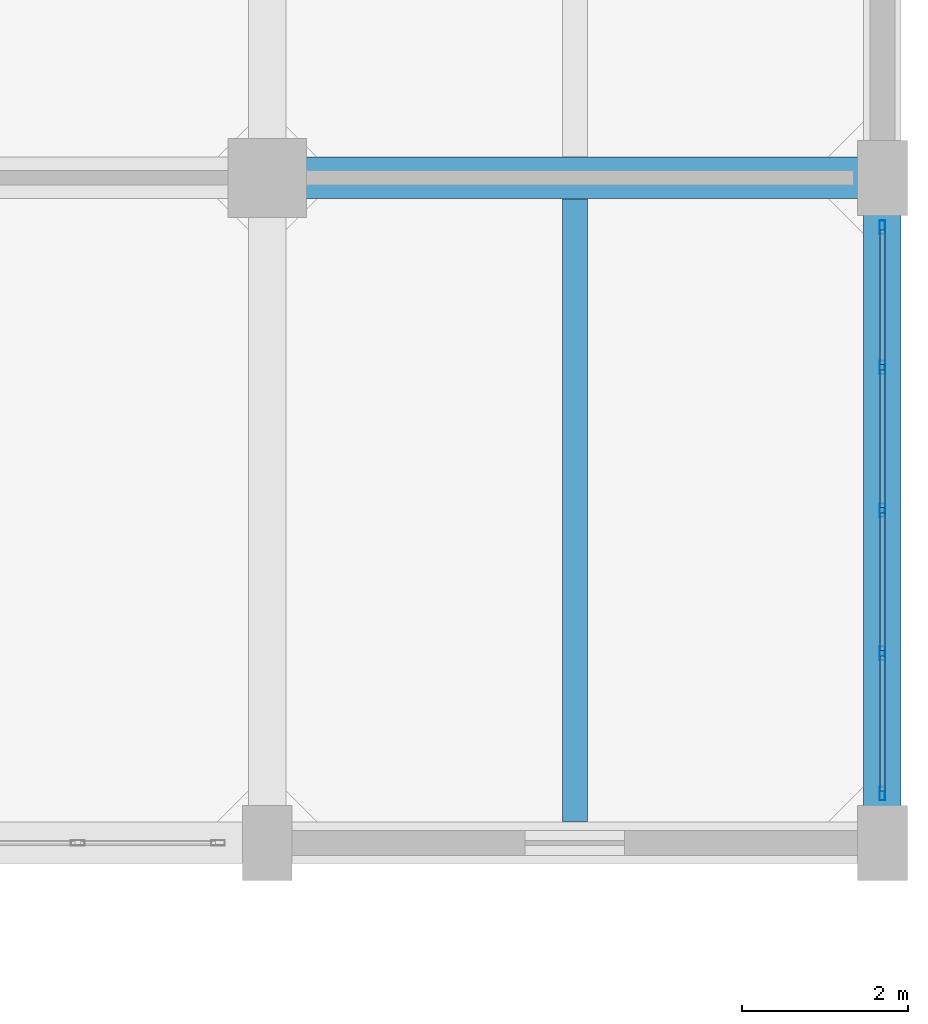
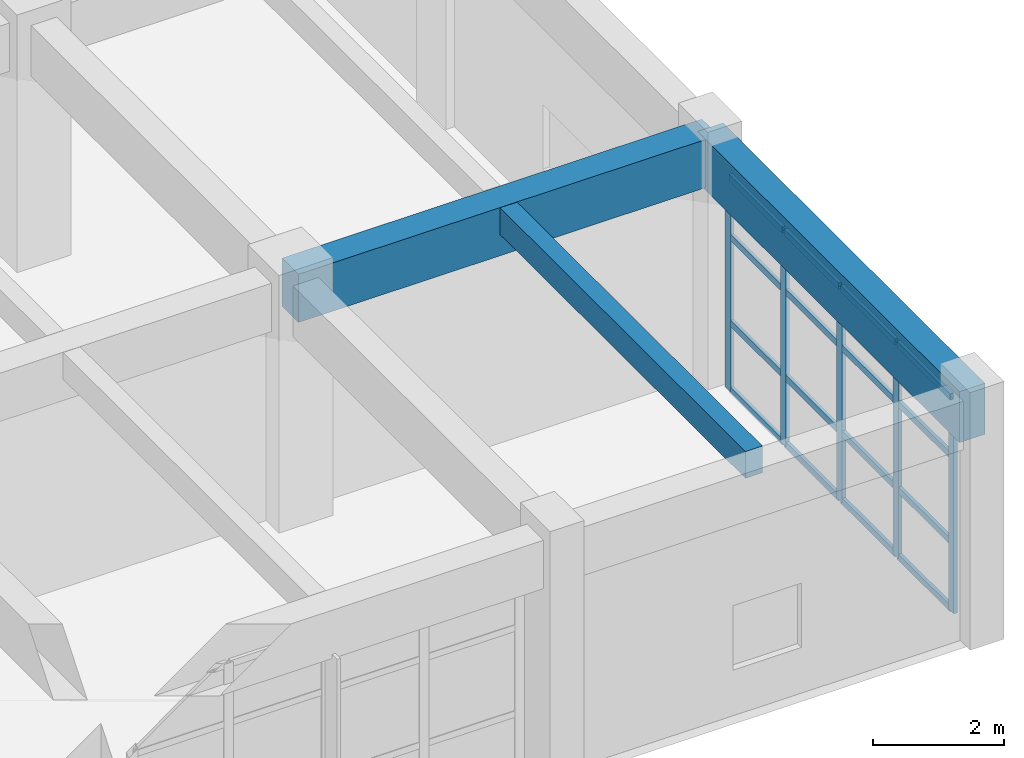
# One storey, part 189 of 248: 21 members, 3 beams, 1 element without a shape of its own.
"""IFC4 building model written with IfcOpenShell, lengths in metres."""

from ifc_helpers import new_model, si_unit, direction, frame, origin, origin_2d, place, context, subcontext, project, spatial, rectangle, hollow_rectangle, extrude, material, layer, layer_set, material_profile, profile_set, type_object, element, aggregate, save


model = new_model("IFC4")

# Units and contexts
model_context = context("Model", 3, precision=1e-05, world=origin(), true_north=direction((0.0, 1.0)))
body_context = subcontext(model_context, "Body", "Model", "MODEL_VIEW")
ifc_project = project(units=[si_unit("LENGTHUNIT", "METRE"), si_unit("AREAUNIT", "SQUARE_METRE"), si_unit("VOLUMEUNIT", "CUBIC_METRE"), si_unit("PLANEANGLEUNIT", "RADIAN"), si_unit("MASSUNIT", "GRAM", prefix="KILO")], contexts=[model_context])

# Site, building, storey
site_placement = place(None, origin())
site = spatial("IfcSite", under=ifc_project, at=site_placement, CompositionType="ELEMENT")
building_placement = place(site_placement, origin())
building = spatial("IfcBuilding", under=site, at=building_placement, Name="Canggui Botanical Conservatory", CompositionType="ELEMENT")
storey_placement = place(building_placement, frame((0.0, 0.0, 5.39990234375)))
storey = spatial("IfcBuildingStorey", under=building, at=storey_placement, Name="L02", CompositionType="ELEMENT", Elevation=5.39990234375)

# Beams
ifc_material_1 = material(Name="Concrete C35", Category="concrete")
ifc_material_profile_1 = material_profile(ifc_material_1, rectangle(XDim=0.300048828125, YDim=0.5, at=origin_2d()), Name="RB 300x500")
ifc_profile_set_1 = profile_set([ifc_material_profile_1], Name="Concrete C35")
beam_type_1 = type_object("IfcBeamType", Name="BM-JST02", PredefinedType="JOIST", material=ifc_profile_set_1)
beam_1_placement = place(storey_placement, frame((173.699951171875, 26.2548828125, 4.27001953125), z_axis=(0.0, 1.0, 0.0), x_axis=(-1.0, 0.0, 0.0)))
element("IfcBeam", 1, at=beam_1_placement, inside=storey, type_object=beam_type_1, Name="Secondary Floor Joist L02-6-1", PredefinedType="JOIST", context=body_context, shape_type="SweptSolid", body=[
    extrude(rectangle(XDim=0.300048828125, YDim=0.5, at=origin_2d()), origin(), (0.0, 0.0, 1.0), 7.490234375),
])
ifc_material_profile_2 = material_profile(ifc_material_1, rectangle(XDim=0.5, YDim=0.89990234375, at=origin_2d()), Name="RB 500x900")
ifc_profile_set_2 = profile_set([ifc_material_profile_2], Name="Concrete C35")
beam_type_2 = type_object("IfcBeamType", Name="BM-KL03", PredefinedType="BEAM", material=ifc_profile_set_2)
beam_2_placement = place(storey_placement, frame((170.0, 34.0, 4.070068359375), z_axis=(1.0, 0.0, 0.0), x_axis=(0.0, 1.0, 0.0)))
element("IfcBeam", 2, at=beam_2_placement, inside=storey, type_object=beam_type_2, Name="Frame Girder L02 Y34-6", PredefinedType="BEAM", context=body_context, shape_type="SweptSolid", body=[
    extrude(rectangle(XDim=0.5, YDim=0.89990234375, at=origin_2d()), origin(), (0.0, 0.0, 1.0), 7.39990234375),
])
ifc_material_profile_3 = material_profile(ifc_material_1, rectangle(XDim=0.449951171875, YDim=0.949951171875, at=origin_2d()), Name="RB 450x950")
ifc_profile_set_3 = profile_set([ifc_material_profile_3], Name="Concrete C35")
beam_type_3 = type_object("IfcBeamType", Name="BM-KL04", PredefinedType="BEAM", material=ifc_profile_set_3)
beam_3_placement = place(storey_placement, frame((177.39990234375, 26.0, 4.045166015625), z_axis=(0.0, 1.0, 0.0), x_axis=(-1.0, 0.0, 0.0)))
element("IfcBeam", 3, at=beam_3_placement, inside=storey, type_object=beam_type_3, Name="Frame Girder L02 X178-1", PredefinedType="BEAM", context=body_context, shape_type="SweptSolid", body=[
    extrude(rectangle(XDim=0.449951171875, YDim=0.949951171875, at=origin_2d()), origin(), (0.0, 0.0, 1.0), 8.0),
])

# Curtain wall, members
ifc_material_2 = material(Name="Thermally Broken Aluminium", Category="aluminium")
ifc_layer = layer(ifc_material_2, 0.1650390625, Name="Thermally Broken Aluminium", Category="aluminium")
ifc_layer_set = layer_set([ifc_layer], Name="Thermally Broken Aluminium")
curtain_wall_type = type_object("IfcCurtainWallType", Name="CW-UNIT-B", PredefinedType="USERDEFINED", material=ifc_layer_set)
curtain_wall_placement = place(storey_placement, origin())
curtain_wall = element("IfcCurtainWall", 4, at=curtain_wall_placement, inside=storey, type_object=curtain_wall_type, Name="Facade Curtain Wall CW-TWR-L02-26", ObjectType="UNITISED CURTAIN WALL", PredefinedType="USERDEFINED")
ifc_material_profile_4 = material_profile(ifc_material_2, hollow_rectangle(XDim=0.06494140625, YDim=0.1650390625, WallThickness=0.00390625, at=origin_2d()), Name="CWM 65x165x4")
ifc_profile_set_4 = profile_set([ifc_material_profile_4], Name="Thermally Broken Aluminium")
member_type_1 = type_object("IfcMemberType", Name="CWM-02", PredefinedType="MULLION", material=ifc_profile_set_4)
member_1_placement = place(storey_placement, frame((177.39990234375, 33.407470703125, 0.0), z_axis=(0.0, 0.0, 1.0), x_axis=(1.0, 0.0, 0.0)))
member_1 = element("IfcMember", 5, at=member_1_placement, type_object=member_type_1, Name="CW-02 mullion 1", PredefinedType="MULLION", context=body_context, shape_type="SweptSolid", body=[
    extrude(hollow_rectangle(XDim=0.06494140625, YDim=0.1650390625, WallThickness=0.00390625, at=origin_2d()), origin(), (0.0, 0.0, 1.0), 4.0),
])
member_2_placement = place(storey_placement, frame((177.39990234375, 31.719970703125, 0.0), z_axis=(0.0, 0.0, 1.0), x_axis=(1.0, 0.0, 0.0)))
member_2 = element("IfcMember", 6, at=member_2_placement, type_object=member_type_1, Name="CW-02 mullion 2", PredefinedType="MULLION", context=body_context, shape_type="SweptSolid", body=[
    extrude(hollow_rectangle(XDim=0.06494140625, YDim=0.1650390625, WallThickness=0.00390625, at=origin_2d()), origin(), (0.0, 0.0, 1.0), 4.0),
])
member_3_placement = place(storey_placement, frame((177.39990234375, 30.0, 0.0), z_axis=(0.0, 0.0, 1.0), x_axis=(1.0, 0.0, 0.0)))
member_3 = element("IfcMember", 7, at=member_3_placement, type_object=member_type_1, Name="CW-02 mullion 3", PredefinedType="MULLION", context=body_context, shape_type="SweptSolid", body=[
    extrude(hollow_rectangle(XDim=0.06494140625, YDim=0.1650390625, WallThickness=0.00390625, at=origin_2d()), origin(), (0.0, 0.0, 1.0), 4.0),
])
member_4_placement = place(storey_placement, frame((177.39990234375, 28.280029296875, 0.0), z_axis=(0.0, 0.0, 1.0), x_axis=(1.0, 0.0, 0.0)))
member_4 = element("IfcMember", 8, at=member_4_placement, type_object=member_type_1, Name="CW-02 mullion 4", PredefinedType="MULLION", context=body_context, shape_type="SweptSolid", body=[
    extrude(hollow_rectangle(XDim=0.06494140625, YDim=0.1650390625, WallThickness=0.00390625, at=origin_2d()), origin(), (0.0, 0.0, 1.0), 4.0),
])
member_5_placement = place(storey_placement, frame((177.39990234375, 26.592529296875, 0.0), z_axis=(0.0, 0.0, 1.0), x_axis=(1.0, 0.0, 0.0)))
member_5 = element("IfcMember", 9, at=member_5_placement, type_object=member_type_1, Name="CW-02 mullion 5", PredefinedType="MULLION", context=body_context, shape_type="SweptSolid", body=[
    extrude(hollow_rectangle(XDim=0.06494140625, YDim=0.1650390625, WallThickness=0.00390625, at=origin_2d()), origin(), (0.0, 0.0, 1.0), 4.0),
])
ifc_material_profile_5 = material_profile(ifc_material_2, hollow_rectangle(XDim=0.06005859375, YDim=0.1201171875, WallThickness=0.00341796875, at=origin_2d()), Name="CWT 60x120x3.5")
ifc_profile_set_5 = profile_set([ifc_material_profile_5], Name="Thermally Broken Aluminium")
member_type_2 = type_object("IfcMemberType", Name="CWT-02", PredefinedType="USERDEFINED", material=ifc_profile_set_5)
member_6_placement = place(storey_placement, frame((177.39990234375, 33.375, 0.030029296875), z_axis=(0.0, -1.0, 0.0), x_axis=(1.0, 0.0, 0.0)))
member_6 = element("IfcMember", 10, at=member_6_placement, type_object=member_type_2, Name="CW-02 transom 1.1", ObjectType="TRANSOM", PredefinedType="USERDEFINED", context=body_context, shape_type="SweptSolid", body=[
    extrude(hollow_rectangle(XDim=0.06005859375, YDim=0.1201171875, WallThickness=0.00341796875, at=origin_2d()), origin(), (0.0, 0.0, 1.0), 1.62255859375),
])
member_7_placement = place(storey_placement, frame((177.39990234375, 33.375, 1.280029296875), z_axis=(0.0, -1.0, 0.0), x_axis=(1.0, 0.0, 0.0)))
member_7 = element("IfcMember", 11, at=member_7_placement, type_object=member_type_2, Name="CW-02 transom 1.2", ObjectType="TRANSOM", PredefinedType="USERDEFINED", context=body_context, shape_type="SweptSolid", body=[
    extrude(hollow_rectangle(XDim=0.06005859375, YDim=0.1201171875, WallThickness=0.00341796875, at=origin_2d()), origin(), (0.0, 0.0, 1.0), 1.62255859375),
])
member_8_placement = place(storey_placement, frame((177.39990234375, 33.375, 2.880126953125), z_axis=(0.0, -1.0, 0.0), x_axis=(1.0, 0.0, 0.0)))
member_8 = element("IfcMember", 12, at=member_8_placement, type_object=member_type_2, Name="CW-02 transom 1.3", ObjectType="TRANSOM", PredefinedType="USERDEFINED", context=body_context, shape_type="SweptSolid", body=[
    extrude(hollow_rectangle(XDim=0.06005859375, YDim=0.1201171875, WallThickness=0.00341796875, at=origin_2d()), origin(), (0.0, 0.0, 1.0), 1.62255859375),
])
member_9_placement = place(storey_placement, frame((177.39990234375, 33.375, 3.97021484375), z_axis=(0.0, -1.0, 0.0), x_axis=(1.0, 0.0, 0.0)))
member_9 = element("IfcMember", 13, at=member_9_placement, type_object=member_type_2, Name="CW-02 transom 1.4", ObjectType="TRANSOM", PredefinedType="USERDEFINED", context=body_context, shape_type="SweptSolid", body=[
    extrude(hollow_rectangle(XDim=0.06005859375, YDim=0.1201171875, WallThickness=0.00341796875, at=origin_2d()), origin(), (0.0, 0.0, 1.0), 1.62255859375),
])
member_10_placement = place(storey_placement, frame((177.39990234375, 31.6875, 0.030029296875), z_axis=(0.0, -1.0, 0.0), x_axis=(1.0, 0.0, 0.0)))
member_10 = element("IfcMember", 14, at=member_10_placement, type_object=member_type_2, Name="CW-02 transom 2.1", ObjectType="TRANSOM", PredefinedType="USERDEFINED", context=body_context, shape_type="SweptSolid", body=[
    extrude(hollow_rectangle(XDim=0.06005859375, YDim=0.1201171875, WallThickness=0.00341796875, at=origin_2d()), origin(), (0.0, 0.0, 1.0), 1.655029296875),
])
member_11_placement = place(storey_placement, frame((177.39990234375, 31.6875, 1.280029296875), z_axis=(0.0, -1.0, 0.0), x_axis=(1.0, 0.0, 0.0)))
member_11 = element("IfcMember", 15, at=member_11_placement, type_object=member_type_2, Name="CW-02 transom 2.2", ObjectType="TRANSOM", PredefinedType="USERDEFINED", context=body_context, shape_type="SweptSolid", body=[
    extrude(hollow_rectangle(XDim=0.06005859375, YDim=0.1201171875, WallThickness=0.00341796875, at=origin_2d()), origin(), (0.0, 0.0, 1.0), 1.655029296875),
])
member_12_placement = place(storey_placement, frame((177.39990234375, 31.6875, 2.880126953125), z_axis=(0.0, -1.0, 0.0), x_axis=(1.0, 0.0, 0.0)))
member_12 = element("IfcMember", 16, at=member_12_placement, type_object=member_type_2, Name="CW-02 transom 2.3", ObjectType="TRANSOM", PredefinedType="USERDEFINED", context=body_context, shape_type="SweptSolid", body=[
    extrude(hollow_rectangle(XDim=0.06005859375, YDim=0.1201171875, WallThickness=0.00341796875, at=origin_2d()), origin(), (0.0, 0.0, 1.0), 1.655029296875),
])
member_13_placement = place(storey_placement, frame((177.39990234375, 31.6875, 3.97021484375), z_axis=(0.0, -1.0, 0.0), x_axis=(1.0, 0.0, 0.0)))
member_13 = element("IfcMember", 17, at=member_13_placement, type_object=member_type_2, Name="CW-02 transom 2.4", ObjectType="TRANSOM", PredefinedType="USERDEFINED", context=body_context, shape_type="SweptSolid", body=[
    extrude(hollow_rectangle(XDim=0.06005859375, YDim=0.1201171875, WallThickness=0.00341796875, at=origin_2d()), origin(), (0.0, 0.0, 1.0), 1.655029296875),
])
member_14_placement = place(storey_placement, frame((177.39990234375, 29.967529296875, 0.030029296875), z_axis=(0.0, -1.0, 0.0), x_axis=(1.0, 0.0, 0.0)))
member_14 = element("IfcMember", 18, at=member_14_placement, type_object=member_type_2, Name="CW-02 transom 3.1", ObjectType="TRANSOM", PredefinedType="USERDEFINED", context=body_context, shape_type="SweptSolid", body=[
    extrude(hollow_rectangle(XDim=0.06005859375, YDim=0.1201171875, WallThickness=0.00341796875, at=origin_2d()), origin(), (0.0, 0.0, 1.0), 1.655029296875),
])
member_15_placement = place(storey_placement, frame((177.39990234375, 29.967529296875, 1.280029296875), z_axis=(0.0, -1.0, 0.0), x_axis=(1.0, 0.0, 0.0)))
member_15 = element("IfcMember", 19, at=member_15_placement, type_object=member_type_2, Name="CW-02 transom 3.2", ObjectType="TRANSOM", PredefinedType="USERDEFINED", context=body_context, shape_type="SweptSolid", body=[
    extrude(hollow_rectangle(XDim=0.06005859375, YDim=0.1201171875, WallThickness=0.00341796875, at=origin_2d()), origin(), (0.0, 0.0, 1.0), 1.655029296875),
])
member_16_placement = place(storey_placement, frame((177.39990234375, 29.967529296875, 2.880126953125), z_axis=(0.0, -1.0, 0.0), x_axis=(1.0, 0.0, 0.0)))
member_16 = element("IfcMember", 20, at=member_16_placement, type_object=member_type_2, Name="CW-02 transom 3.3", ObjectType="TRANSOM", PredefinedType="USERDEFINED", context=body_context, shape_type="SweptSolid", body=[
    extrude(hollow_rectangle(XDim=0.06005859375, YDim=0.1201171875, WallThickness=0.00341796875, at=origin_2d()), origin(), (0.0, 0.0, 1.0), 1.655029296875),
])
member_17_placement = place(storey_placement, frame((177.39990234375, 29.967529296875, 3.97021484375), z_axis=(0.0, -1.0, 0.0), x_axis=(1.0, 0.0, 0.0)))
member_17 = element("IfcMember", 21, at=member_17_placement, type_object=member_type_2, Name="CW-02 transom 3.4", ObjectType="TRANSOM", PredefinedType="USERDEFINED", context=body_context, shape_type="SweptSolid", body=[
    extrude(hollow_rectangle(XDim=0.06005859375, YDim=0.1201171875, WallThickness=0.00341796875, at=origin_2d()), origin(), (0.0, 0.0, 1.0), 1.655029296875),
])
member_18_placement = place(storey_placement, frame((177.39990234375, 28.24755859375, 0.030029296875), z_axis=(0.0, -1.0, 0.0), x_axis=(1.0, 0.0, 0.0)))
member_18 = element("IfcMember", 22, at=member_18_placement, type_object=member_type_2, Name="CW-02 transom 4.1", ObjectType="TRANSOM", PredefinedType="USERDEFINED", context=body_context, shape_type="SweptSolid", body=[
    extrude(hollow_rectangle(XDim=0.06005859375, YDim=0.1201171875, WallThickness=0.00341796875, at=origin_2d()), origin(), (0.0, 0.0, 1.0), 1.62255859375),
])
member_19_placement = place(storey_placement, frame((177.39990234375, 28.24755859375, 1.280029296875), z_axis=(0.0, -1.0, 0.0), x_axis=(1.0, 0.0, 0.0)))
member_19 = element("IfcMember", 23, at=member_19_placement, type_object=member_type_2, Name="CW-02 transom 4.2", ObjectType="TRANSOM", PredefinedType="USERDEFINED", context=body_context, shape_type="SweptSolid", body=[
    extrude(hollow_rectangle(XDim=0.06005859375, YDim=0.1201171875, WallThickness=0.00341796875, at=origin_2d()), origin(), (0.0, 0.0, 1.0), 1.62255859375),
])
member_20_placement = place(storey_placement, frame((177.39990234375, 28.24755859375, 2.880126953125), z_axis=(0.0, -1.0, 0.0), x_axis=(1.0, 0.0, 0.0)))
member_20 = element("IfcMember", 24, at=member_20_placement, type_object=member_type_2, Name="CW-02 transom 4.3", ObjectType="TRANSOM", PredefinedType="USERDEFINED", context=body_context, shape_type="SweptSolid", body=[
    extrude(hollow_rectangle(XDim=0.06005859375, YDim=0.1201171875, WallThickness=0.00341796875, at=origin_2d()), origin(), (0.0, 0.0, 1.0), 1.62255859375),
])
member_21_placement = place(storey_placement, frame((177.39990234375, 28.24755859375, 3.97021484375), z_axis=(0.0, -1.0, 0.0), x_axis=(1.0, 0.0, 0.0)))
member_21 = element("IfcMember", 25, at=member_21_placement, type_object=member_type_2, Name="CW-02 transom 4.4", ObjectType="TRANSOM", PredefinedType="USERDEFINED", context=body_context, shape_type="SweptSolid", body=[
    extrude(hollow_rectangle(XDim=0.06005859375, YDim=0.1201171875, WallThickness=0.00341796875, at=origin_2d()), origin(), (0.0, 0.0, 1.0), 1.62255859375),
])
aggregate(curtain_wall, [member_1, member_2, member_3, member_4, member_5, member_6, member_7, member_8, member_9, member_10, member_11, member_12, member_13, member_14, member_15, member_16, member_17, member_18, member_19, member_20, member_21])

save(model, "model.ifc")
